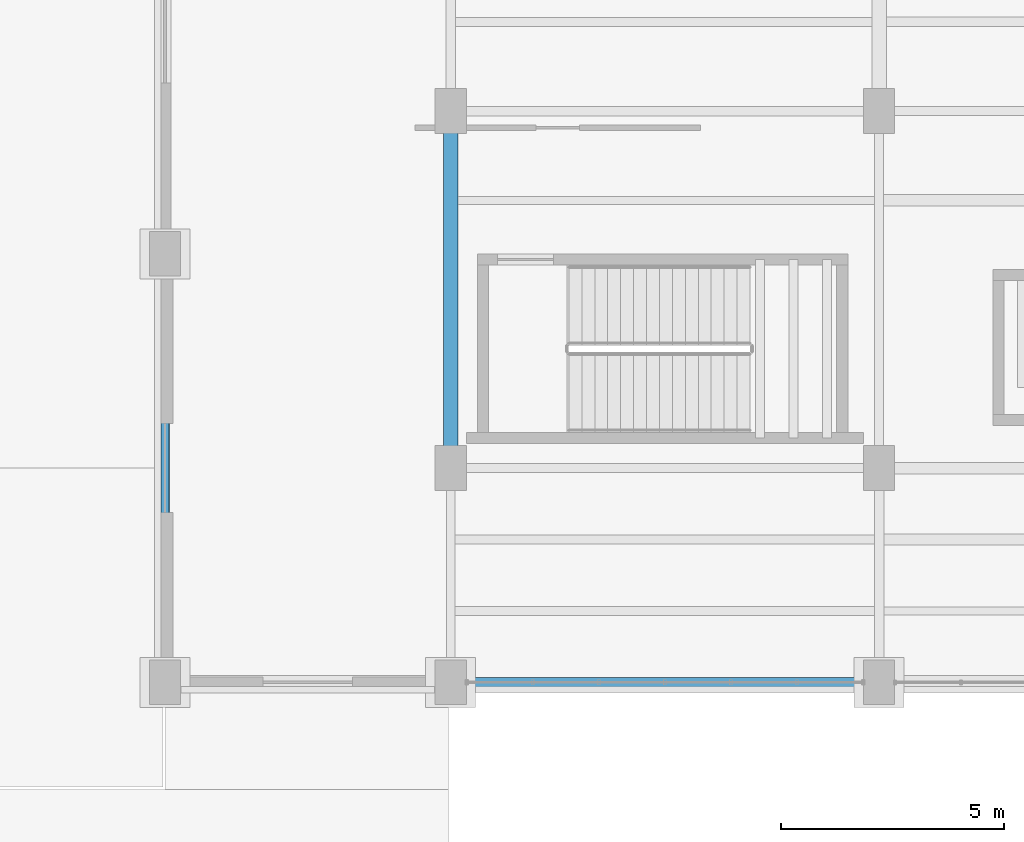
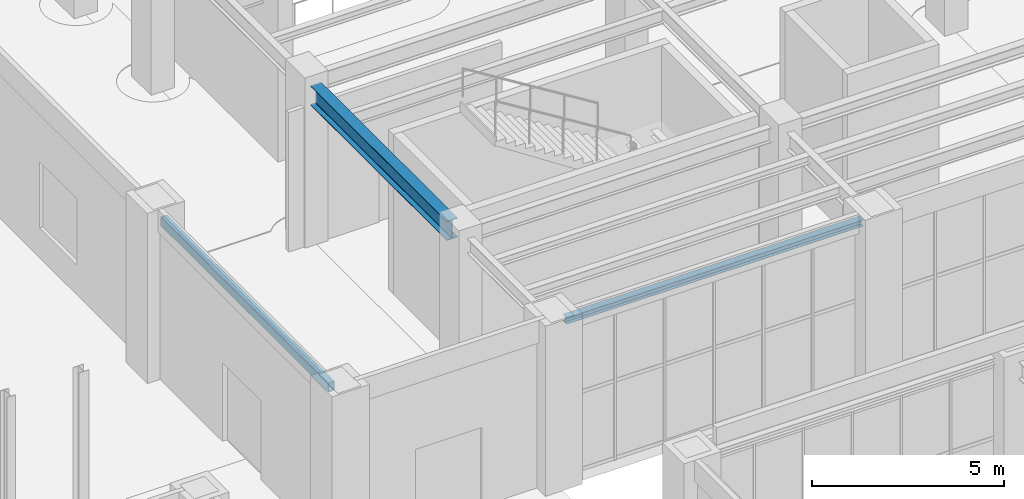
# One storey, part 54 of 164: 3 beams.
"""IFC4 building model written with IfcOpenShell, lengths in metres."""

from ifc_helpers import new_model, si_unit, direction, frame, origin, origin_2d, place, context, subcontext, project, spatial, hollow_rectangle, i_section, extrude, material, material_profile, profile_set, type_object, element, save


model = new_model("IFC4")

# Units and contexts
model_context = context("Model", 3, precision=1e-05, world=origin(), true_north=direction((0.0, 1.0)))
body_context = subcontext(model_context, "Body", "Model", "MODEL_VIEW")
ifc_project = project(units=[si_unit("LENGTHUNIT", "METRE"), si_unit("AREAUNIT", "SQUARE_METRE"), si_unit("VOLUMEUNIT", "CUBIC_METRE"), si_unit("PLANEANGLEUNIT", "RADIAN"), si_unit("MASSUNIT", "GRAM", prefix="KILO")], contexts=[model_context])

# Site, building, storey
site_placement = place(None, origin())
site = spatial("IfcSite", under=ifc_project, at=site_placement, CompositionType="ELEMENT")
building_placement = place(site_placement, origin())
building = spatial("IfcBuilding", under=site, at=building_placement, Name="Mavantir Sound Aquarium", CompositionType="ELEMENT")
storey_placement = place(building_placement, origin())
storey = spatial("IfcBuildingStorey", under=building, at=storey_placement, Name="L00", CompositionType="ELEMENT", Elevation=0.0)

# Beams
ifc_material_1 = material(Name="Hollow Structural Steel ASTM A500 GrC", Category="steel")
ifc_material_profile_1 = material_profile(ifc_material_1, hollow_rectangle(XDim=0.199951171875, YDim=0.300048828125, WallThickness=0.012451171875, InnerFilletRadius=0.012451171875, OuterFilletRadius=0.02490234375, at=origin_2d()), Name="RHS 300X200X12.5")
ifc_profile_set_1 = profile_set([ifc_material_profile_1], Name="Hollow Structural Steel ASTM A500 GrC")
beam_type_1 = type_object("IfcBeamType", Name="BM-RHS300-E", PredefinedType="SPANDREL", material=ifc_profile_set_1)
beam_1_placement = place(storey_placement, frame((101.60009765625, 36.449951171875, 4.916015625), z_axis=(0.0, 1.0, 0.0), x_axis=(-1.0, 0.0, 0.0)))
element("IfcBeam", 1, at=beam_1_placement, inside=storey, type_object=beam_type_1, Name="L00 primary girder SS-R30 956", PredefinedType="SPANDREL", context=body_context, shape_type="SweptSolid", body=[
    extrude(hollow_rectangle(XDim=0.199951171875, YDim=0.300048828125, WallThickness=0.012451171875, InnerFilletRadius=0.012451171875, OuterFilletRadius=0.02490234375, at=origin_2d()), origin(), (0.0, 0.0, 1.0), 8.699951171875),
])
ifc_material_2 = material(Name="Structural Steel ASTM A992 Gr50", Category="steel")
ifc_material_profile_2 = material_profile(ifc_material_2, i_section(OverallWidth=0.202880859375, OverallDepth=0.202880859375, WebThickness=0.007080078125, FlangeThickness=0.010986328125, FilletRadius=0.010009765625, at=origin_2d()), Name="W200X46")
ifc_profile_set_2 = profile_set([ifc_material_profile_2], Name="Structural Steel ASTM A992 Gr50")
beam_type_2 = type_object("IfcBeamType", Name="BM-W200X46-E", PredefinedType="LINTEL", material=ifc_profile_set_2)
beam_2_placement = place(storey_placement, frame((108.35009765625, 36.0, 4.964599609375), z_axis=(1.0, 0.0, 0.0), x_axis=(0.0, 1.0, 0.0)))
element("IfcBeam", 2, at=beam_2_placement, inside=storey, type_object=beam_type_2, Name="L00 primary beam SL-20 924", PredefinedType="LINTEL", context=body_context, shape_type="SweptSolid", body=[
    extrude(i_section(OverallWidth=0.202880859375, OverallDepth=0.202880859375, WebThickness=0.007080078125, FlangeThickness=0.010986328125, FilletRadius=0.010009765625, at=origin_2d()), origin(), (0.0, 0.0, 1.0), 8.89990234375),
])
ifc_material_profile_3 = material_profile(ifc_material_2, i_section(OverallWidth=0.323974609375, OverallDepth=0.611083984375, WebThickness=0.0126953125, FlangeThickness=0.01904296875, FilletRadius=0.01904296875, at=origin_2d()), Name="W610X155")
ifc_profile_set_3 = profile_set([ifc_material_profile_3], Name="Structural Steel ASTM A992 Gr50")
beam_type_3 = type_object("IfcBeamType", Name="BM-W610X155-I", PredefinedType="BEAM", material=ifc_profile_set_3)
beam_3_placement = place(storey_placement, frame((108.0, 41.25, 4.760498046875), z_axis=(0.0, 1.0, 0.0), x_axis=(-1.0, 0.0, 0.0)))
element("IfcBeam", 3, at=beam_3_placement, inside=storey, type_object=beam_type_3, Name="L00 primary girder SB-61A 964", PredefinedType="BEAM", context=body_context, shape_type="SweptSolid", body=[
    extrude(i_section(OverallWidth=0.323974609375, OverallDepth=0.611083984375, WebThickness=0.0126953125, FlangeThickness=0.01904296875, FilletRadius=0.01904296875, at=origin_2d()), origin(), (0.0, 0.0, 1.0), 7.10009765625),
])

save(model, "model.ifc")
